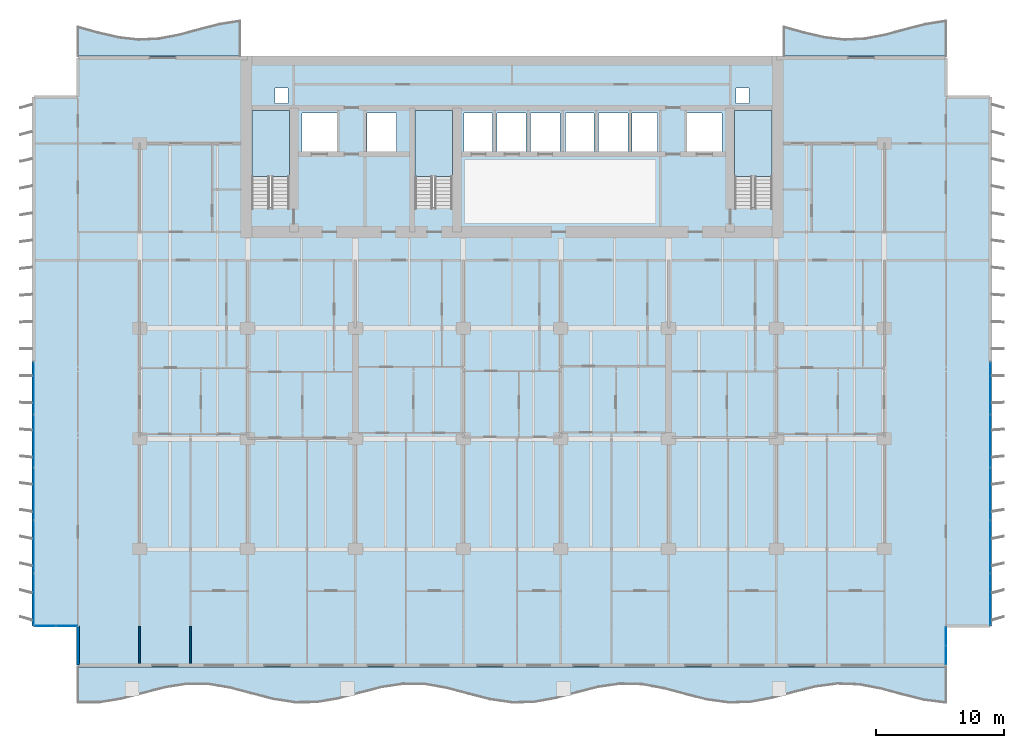
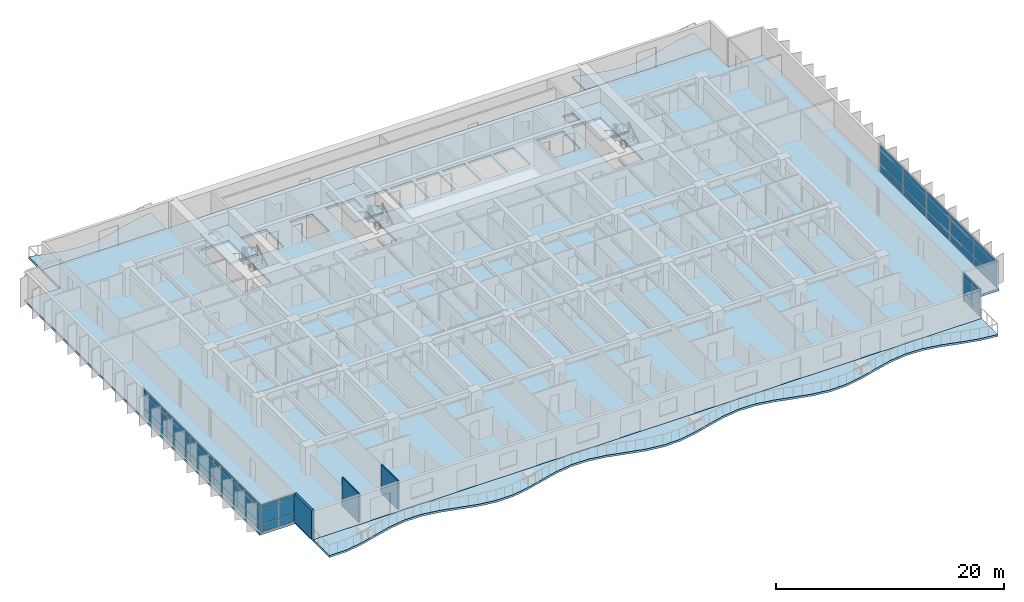
# One storey, part 5 of 18: 42 plates, 7 slabs, 3 walls, 7 elements without a shape of their own.
"""IFC4 building model written with IfcOpenShell, lengths in metres."""

from ifc_helpers import new_model, si_unit, direction, frame, frame_2d, origin, origin_2d, place, context, subcontext, project, spatial, polyline, rectangle, outline, extrude, material, layer, layer_set, type_object, element, aggregate, save


model = new_model("IFC4")

# Units and contexts
model_context = context("Model", 3, precision=1e-05, world=origin(), true_north=direction((0.0, 1.0)))
body_context = subcontext(model_context, "Body", "Model", "MODEL_VIEW")
ifc_project = project(units=[si_unit("LENGTHUNIT", "METRE"), si_unit("AREAUNIT", "SQUARE_METRE"), si_unit("VOLUMEUNIT", "CUBIC_METRE"), si_unit("PLANEANGLEUNIT", "RADIAN"), si_unit("MASSUNIT", "GRAM", prefix="KILO")], contexts=[model_context])

# Site, building, storey
site_placement = place(None, origin())
site = spatial("IfcSite", under=ifc_project, at=site_placement, CompositionType="ELEMENT")
building_placement = place(site_placement, origin())
building = spatial("IfcBuilding", under=site, at=building_placement, Name="Caelmar Bay Residences", CompositionType="ELEMENT")
storey_placement = place(building_placement, frame((0.0, 0.0, 69.60009765625)))
storey = spatial("IfcBuildingStorey", under=building, at=storey_placement, Name="L18", CompositionType="ELEMENT", Elevation=69.60009765625)

# Curtain wall, plates
ifc_material_1 = material(Name="Anodised bronze aluminium 6063-T6 and laminated glass", Category="aluminium")
ifc_layer_1 = layer(ifc_material_1, 0.179931640625)
ifc_layer_set_1 = layer_set([ifc_layer_1], Name="Anodised bronze aluminium 6063-T6 and laminated glass")
curtain_wall_type_1 = type_object("IfcCurtainWallType", Name="CW6-NTC", PredefinedType="NOTDEFINED", material=ifc_layer_set_1)
curtain_wall_1_placement = place(storey_placement, origin())
curtain_wall_1 = element("IfcCurtainWall", 1, at=curtain_wall_1_placement, inside=storey, type_object=curtain_wall_type_1, Name="CW6 curtain wall L18", PredefinedType="NOTDEFINED")
ifc_material_2 = material(Name="Bronze-tinted laminated low-E hurricane glass 28 mm", Category="glass")
ifc_layer_2 = layer(ifc_material_2, 0.028076171875)
ifc_layer_set_2 = layer_set([ifc_layer_2], Name="Bronze-tinted laminated low-E hurricane glass 28 mm")
plate_type = type_object("IfcPlateType", Name="CWP-GLZ28", PredefinedType="CURTAIN_PANEL", material=ifc_layer_set_2)
plate_1_placement = place(storey_placement, frame((2.532470703125, 6.199951171875, 0.080078125), z_axis=(0.0, 0.0, 1.0), x_axis=(1.0, 0.0, 0.0)))
plate_1 = element("IfcPlate", 2, at=plate_1_placement, type_object=plate_type, Name="CW6 panel 1.1", PredefinedType="CURTAIN_PANEL", context=body_context, shape_type="SweptSolid", body=[
    extrude(rectangle(XDim=1.60498046875, YDim=0.028076171875, at=origin_2d()), origin(), (0.0, 0.0, 1.0), 0.780029296875),
])
plate_2_placement = place(storey_placement, frame((2.532470703125, 6.199951171875, 0.93994140625), z_axis=(0.0, 0.0, 1.0), x_axis=(1.0, 0.0, 0.0)))
plate_2 = element("IfcPlate", 3, at=plate_2_placement, type_object=plate_type, Name="CW6 panel 1.2", PredefinedType="CURTAIN_PANEL", context=body_context, shape_type="SweptSolid", body=[
    extrude(rectangle(XDim=1.60498046875, YDim=0.028076171875, at=origin_2d()), origin(), (0.0, 0.0, 1.0), 1.52001953125),
])
plate_3_placement = place(storey_placement, frame((2.532470703125, 6.199951171875, 2.5400390625), z_axis=(0.0, 0.0, 1.0), x_axis=(1.0, 0.0, 0.0)))
plate_3 = element("IfcPlate", 4, at=plate_3_placement, type_object=plate_type, Name="CW6 panel 1.3", PredefinedType="CURTAIN_PANEL", context=body_context, shape_type="SweptSolid", body=[
    extrude(rectangle(XDim=1.60498046875, YDim=0.028076171875, at=origin_2d()), origin(), (0.0, 0.0, 1.0), 0.429931640625),
])
plate_4_placement = place(storey_placement, frame((4.217529296875, 6.199951171875, 0.080078125), z_axis=(0.0, 0.0, 1.0), x_axis=(1.0, 0.0, 0.0)))
plate_4 = element("IfcPlate", 5, at=plate_4_placement, type_object=plate_type, Name="CW6 panel 2.1", PredefinedType="CURTAIN_PANEL", context=body_context, shape_type="SweptSolid", body=[
    extrude(rectangle(XDim=1.60498046875, YDim=0.028076171875, at=origin_2d()), origin(), (0.0, 0.0, 1.0), 0.780029296875),
])
plate_5_placement = place(storey_placement, frame((4.217529296875, 6.199951171875, 0.93994140625), z_axis=(0.0, 0.0, 1.0), x_axis=(1.0, 0.0, 0.0)))
plate_5 = element("IfcPlate", 6, at=plate_5_placement, type_object=plate_type, Name="CW6 panel 2.2", PredefinedType="CURTAIN_PANEL", context=body_context, shape_type="SweptSolid", body=[
    extrude(rectangle(XDim=1.60498046875, YDim=0.028076171875, at=origin_2d()), origin(), (0.0, 0.0, 1.0), 1.52001953125),
])
plate_6_placement = place(storey_placement, frame((4.217529296875, 6.199951171875, 2.5400390625), z_axis=(0.0, 0.0, 1.0), x_axis=(1.0, 0.0, 0.0)))
plate_6 = element("IfcPlate", 7, at=plate_6_placement, type_object=plate_type, Name="CW6 panel 2.3", PredefinedType="CURTAIN_PANEL", context=body_context, shape_type="SweptSolid", body=[
    extrude(rectangle(XDim=1.60498046875, YDim=0.028076171875, at=origin_2d()), origin(), (0.0, 0.0, 1.0), 0.429931640625),
])
aggregate(curtain_wall_1, [plate_1, plate_2, plate_3, plate_4, plate_5, plate_6])

curtain_wall_2_placement = place(storey_placement, origin())
curtain_wall_2 = element("IfcCurtainWall", 8, at=curtain_wall_2_placement, inside=storey, type_object=curtain_wall_type_1, Name="CW6 curtain wall L18", PredefinedType="NOTDEFINED")
plate_7_placement = place(storey_placement, frame((72.699951171875, 3.9326171875, 0.080078125), z_axis=(0.0, 0.0, 1.0), x_axis=(0.0, 1.0, 0.0)))
plate_7 = element("IfcPlate", 9, at=plate_7_placement, type_object=plate_type, Name="CW6 panel 1.1", PredefinedType="CURTAIN_PANEL", context=body_context, shape_type="SweptSolid", body=[
    extrude(rectangle(XDim=1.405029296875, YDim=0.028076171875, at=origin_2d()), origin(), (0.0, 0.0, 1.0), 0.780029296875),
])
plate_8_placement = place(storey_placement, frame((72.699951171875, 3.9326171875, 0.93994140625), z_axis=(0.0, 0.0, 1.0), x_axis=(0.0, 1.0, 0.0)))
plate_8 = element("IfcPlate", 10, at=plate_8_placement, type_object=plate_type, Name="CW6 panel 1.2", PredefinedType="CURTAIN_PANEL", context=body_context, shape_type="SweptSolid", body=[
    extrude(rectangle(XDim=1.405029296875, YDim=0.028076171875, at=origin_2d()), origin(), (0.0, 0.0, 1.0), 1.52001953125),
])
plate_9_placement = place(storey_placement, frame((72.699951171875, 3.9326171875, 2.5400390625), z_axis=(0.0, 0.0, 1.0), x_axis=(0.0, 1.0, 0.0)))
plate_9 = element("IfcPlate", 11, at=plate_9_placement, type_object=plate_type, Name="CW6 panel 1.3", PredefinedType="CURTAIN_PANEL", context=body_context, shape_type="SweptSolid", body=[
    extrude(rectangle(XDim=1.405029296875, YDim=0.028076171875, at=origin_2d()), origin(), (0.0, 0.0, 1.0), 0.429931640625),
])
plate_10_placement = place(storey_placement, frame((72.699951171875, 5.41748046875, 0.080078125), z_axis=(0.0, 0.0, 1.0), x_axis=(0.0, 1.0, 0.0)))
plate_10 = element("IfcPlate", 12, at=plate_10_placement, type_object=plate_type, Name="CW6 panel 2.1", PredefinedType="CURTAIN_PANEL", context=body_context, shape_type="SweptSolid", body=[
    extrude(rectangle(XDim=1.405029296875, YDim=0.028076171875, at=origin_2d()), origin(), (0.0, 0.0, 1.0), 0.780029296875),
])
plate_11_placement = place(storey_placement, frame((72.699951171875, 5.41748046875, 0.93994140625), z_axis=(0.0, 0.0, 1.0), x_axis=(0.0, 1.0, 0.0)))
plate_11 = element("IfcPlate", 13, at=plate_11_placement, type_object=plate_type, Name="CW6 panel 2.2", PredefinedType="CURTAIN_PANEL", context=body_context, shape_type="SweptSolid", body=[
    extrude(rectangle(XDim=1.405029296875, YDim=0.028076171875, at=origin_2d()), origin(), (0.0, 0.0, 1.0), 1.52001953125),
])
plate_12_placement = place(storey_placement, frame((72.699951171875, 5.41748046875, 2.5400390625), z_axis=(0.0, 0.0, 1.0), x_axis=(0.0, 1.0, 0.0)))
plate_12 = element("IfcPlate", 14, at=plate_12_placement, type_object=plate_type, Name="CW6 panel 2.3", PredefinedType="CURTAIN_PANEL", context=body_context, shape_type="SweptSolid", body=[
    extrude(rectangle(XDim=1.405029296875, YDim=0.028076171875, at=origin_2d()), origin(), (0.0, 0.0, 1.0), 0.429931640625),
])
aggregate(curtain_wall_2, [plate_7, plate_8, plate_9, plate_10, plate_11, plate_12])

ifc_layer_3 = layer(ifc_material_1, 0.179931640625)
ifc_layer_set_3 = layer_set([ifc_layer_3], Name="Anodised bronze aluminium 6063-T6 and laminated glass")
curtain_wall_type_2 = type_object("IfcCurtainWallType", Name="CW2-Z1", PredefinedType="NOTDEFINED", material=ifc_layer_set_3)
curtain_wall_3_placement = place(storey_placement, origin())
curtain_wall_3 = element("IfcCurtainWall", 15, at=curtain_wall_3_placement, inside=storey, type_object=curtain_wall_type_2, Name="CW2 curtain wall L18", PredefinedType="NOTDEFINED")
plate_13_placement = place(storey_placement, frame((1.64990234375, 8.280029296875, 0.080078125), z_axis=(0.0, 0.0, 1.0), x_axis=(0.0, 1.0, 0.0)))
plate_13 = element("IfcPlate", 16, at=plate_13_placement, type_object=plate_type, Name="CW2 panel 1.1", PredefinedType="CURTAIN_PANEL", context=body_context, shape_type="SweptSolid", body=[
    extrude(rectangle(XDim=4.0, YDim=0.028076171875, at=origin_2d()), origin(), (0.0, 0.0, 1.0), 0.780029296875),
])
plate_14_placement = place(storey_placement, frame((1.64990234375, 8.280029296875, 0.93994140625), z_axis=(0.0, 0.0, 1.0), x_axis=(0.0, 1.0, 0.0)))
plate_14 = element("IfcPlate", 17, at=plate_14_placement, type_object=plate_type, Name="CW2 panel 1.2", PredefinedType="CURTAIN_PANEL", context=body_context, shape_type="SweptSolid", body=[
    extrude(rectangle(XDim=4.0, YDim=0.028076171875, at=origin_2d()), origin(), (0.0, 0.0, 1.0), 1.52001953125),
])
plate_15_placement = place(storey_placement, frame((1.64990234375, 8.280029296875, 2.5400390625), z_axis=(0.0, 0.0, 1.0), x_axis=(0.0, 1.0, 0.0)))
plate_15 = element("IfcPlate", 18, at=plate_15_placement, type_object=plate_type, Name="CW2 panel 1.3", PredefinedType="CURTAIN_PANEL", context=body_context, shape_type="SweptSolid", body=[
    extrude(rectangle(XDim=4.0, YDim=0.028076171875, at=origin_2d()), origin(), (0.0, 0.0, 1.0), 0.429931640625),
])
plate_16_placement = place(storey_placement, frame((1.64990234375, 12.3798828125, 0.080078125), z_axis=(0.0, 0.0, 1.0), x_axis=(0.0, 1.0, 0.0)))
plate_16 = element("IfcPlate", 19, at=plate_16_placement, type_object=plate_type, Name="CW2 panel 2.1", PredefinedType="CURTAIN_PANEL", context=body_context, shape_type="SweptSolid", body=[
    extrude(rectangle(XDim=4.0400390625, YDim=0.028076171875, at=origin_2d()), origin(), (0.0, 0.0, 1.0), 0.780029296875),
])
plate_17_placement = place(storey_placement, frame((1.64990234375, 12.3798828125, 0.93994140625), z_axis=(0.0, 0.0, 1.0), x_axis=(0.0, 1.0, 0.0)))
plate_17 = element("IfcPlate", 20, at=plate_17_placement, type_object=plate_type, Name="CW2 panel 2.2", PredefinedType="CURTAIN_PANEL", context=body_context, shape_type="SweptSolid", body=[
    extrude(rectangle(XDim=4.0400390625, YDim=0.028076171875, at=origin_2d()), origin(), (0.0, 0.0, 1.0), 1.52001953125),
])
plate_18_placement = place(storey_placement, frame((1.64990234375, 12.3798828125, 2.5400390625), z_axis=(0.0, 0.0, 1.0), x_axis=(0.0, 1.0, 0.0)))
plate_18 = element("IfcPlate", 21, at=plate_18_placement, type_object=plate_type, Name="CW2 panel 2.3", PredefinedType="CURTAIN_PANEL", context=body_context, shape_type="SweptSolid", body=[
    extrude(rectangle(XDim=4.0400390625, YDim=0.028076171875, at=origin_2d()), origin(), (0.0, 0.0, 1.0), 0.429931640625),
])
plate_19_placement = place(storey_placement, frame((1.64990234375, 16.5, 0.080078125), z_axis=(0.0, 0.0, 1.0), x_axis=(0.0, 1.0, 0.0)))
plate_19 = element("IfcPlate", 22, at=plate_19_placement, type_object=plate_type, Name="CW2 panel 3.1", PredefinedType="CURTAIN_PANEL", context=body_context, shape_type="SweptSolid", body=[
    extrude(rectangle(XDim=4.0400390625, YDim=0.028076171875, at=origin_2d()), origin(), (0.0, 0.0, 1.0), 0.780029296875),
])
plate_20_placement = place(storey_placement, frame((1.64990234375, 16.5, 0.93994140625), z_axis=(0.0, 0.0, 1.0), x_axis=(0.0, 1.0, 0.0)))
plate_20 = element("IfcPlate", 23, at=plate_20_placement, type_object=plate_type, Name="CW2 panel 3.2", PredefinedType="CURTAIN_PANEL", context=body_context, shape_type="SweptSolid", body=[
    extrude(rectangle(XDim=4.0400390625, YDim=0.028076171875, at=origin_2d()), origin(), (0.0, 0.0, 1.0), 1.52001953125),
])
plate_21_placement = place(storey_placement, frame((1.64990234375, 16.5, 2.5400390625), z_axis=(0.0, 0.0, 1.0), x_axis=(0.0, 1.0, 0.0)))
plate_21 = element("IfcPlate", 24, at=plate_21_placement, type_object=plate_type, Name="CW2 panel 3.3", PredefinedType="CURTAIN_PANEL", context=body_context, shape_type="SweptSolid", body=[
    extrude(rectangle(XDim=4.0400390625, YDim=0.028076171875, at=origin_2d()), origin(), (0.0, 0.0, 1.0), 0.429931640625),
])
plate_22_placement = place(storey_placement, frame((1.64990234375, 20.6201171875, 0.080078125), z_axis=(0.0, 0.0, 1.0), x_axis=(0.0, 1.0, 0.0)))
plate_22 = element("IfcPlate", 25, at=plate_22_placement, type_object=plate_type, Name="CW2 panel 4.1", PredefinedType="CURTAIN_PANEL", context=body_context, shape_type="SweptSolid", body=[
    extrude(rectangle(XDim=4.0400390625, YDim=0.028076171875, at=origin_2d()), origin(), (0.0, 0.0, 1.0), 0.780029296875),
])
plate_23_placement = place(storey_placement, frame((1.64990234375, 20.6201171875, 0.93994140625), z_axis=(0.0, 0.0, 1.0), x_axis=(0.0, 1.0, 0.0)))
plate_23 = element("IfcPlate", 26, at=plate_23_placement, type_object=plate_type, Name="CW2 panel 4.2", PredefinedType="CURTAIN_PANEL", context=body_context, shape_type="SweptSolid", body=[
    extrude(rectangle(XDim=4.0400390625, YDim=0.028076171875, at=origin_2d()), origin(), (0.0, 0.0, 1.0), 1.52001953125),
])
plate_24_placement = place(storey_placement, frame((1.64990234375, 20.6201171875, 2.5400390625), z_axis=(0.0, 0.0, 1.0), x_axis=(0.0, 1.0, 0.0)))
plate_24 = element("IfcPlate", 27, at=plate_24_placement, type_object=plate_type, Name="CW2 panel 4.3", PredefinedType="CURTAIN_PANEL", context=body_context, shape_type="SweptSolid", body=[
    extrude(rectangle(XDim=4.0400390625, YDim=0.028076171875, at=origin_2d()), origin(), (0.0, 0.0, 1.0), 0.429931640625),
])
plate_25_placement = place(storey_placement, frame((1.64990234375, 24.719970703125, 0.080078125), z_axis=(0.0, 0.0, 1.0), x_axis=(0.0, 1.0, 0.0)))
plate_25 = element("IfcPlate", 28, at=plate_25_placement, type_object=plate_type, Name="CW2 panel 5.1", PredefinedType="CURTAIN_PANEL", context=body_context, shape_type="SweptSolid", body=[
    extrude(rectangle(XDim=4.0, YDim=0.028076171875, at=origin_2d()), origin(), (0.0, 0.0, 1.0), 0.780029296875),
])
plate_26_placement = place(storey_placement, frame((1.64990234375, 24.719970703125, 0.93994140625), z_axis=(0.0, 0.0, 1.0), x_axis=(0.0, 1.0, 0.0)))
plate_26 = element("IfcPlate", 29, at=plate_26_placement, type_object=plate_type, Name="CW2 panel 5.2", PredefinedType="CURTAIN_PANEL", context=body_context, shape_type="SweptSolid", body=[
    extrude(rectangle(XDim=4.0, YDim=0.028076171875, at=origin_2d()), origin(), (0.0, 0.0, 1.0), 1.52001953125),
])
plate_27_placement = place(storey_placement, frame((1.64990234375, 24.719970703125, 2.5400390625), z_axis=(0.0, 0.0, 1.0), x_axis=(0.0, 1.0, 0.0)))
plate_27 = element("IfcPlate", 30, at=plate_27_placement, type_object=plate_type, Name="CW2 panel 5.3", PredefinedType="CURTAIN_PANEL", context=body_context, shape_type="SweptSolid", body=[
    extrude(rectangle(XDim=4.0, YDim=0.028076171875, at=origin_2d()), origin(), (0.0, 0.0, 1.0), 0.429931640625),
])
aggregate(curtain_wall_3, [plate_13, plate_14, plate_15, plate_16, plate_17, plate_18, plate_19, plate_20, plate_21, plate_22, plate_23, plate_24, plate_25, plate_26, plate_27])

curtain_wall_4_placement = place(storey_placement, origin())
curtain_wall_4 = element("IfcCurtainWall", 31, at=curtain_wall_4_placement, inside=storey, type_object=curtain_wall_type_2, Name="CW2 curtain wall L18", PredefinedType="NOTDEFINED")
plate_28_placement = place(storey_placement, frame((76.14990234375, 24.719970703125, 0.080078125), z_axis=(0.0, 0.0, 1.0), x_axis=(0.0, -1.0, 0.0)))
plate_28 = element("IfcPlate", 32, at=plate_28_placement, type_object=plate_type, Name="CW2 panel 1.1", PredefinedType="CURTAIN_PANEL", context=body_context, shape_type="SweptSolid", body=[
    extrude(rectangle(XDim=4.0, YDim=0.028076171875, at=origin_2d()), origin(), (0.0, 0.0, 1.0), 0.780029296875),
])
plate_29_placement = place(storey_placement, frame((76.14990234375, 24.719970703125, 0.93994140625), z_axis=(0.0, 0.0, 1.0), x_axis=(0.0, -1.0, 0.0)))
plate_29 = element("IfcPlate", 33, at=plate_29_placement, type_object=plate_type, Name="CW2 panel 1.2", PredefinedType="CURTAIN_PANEL", context=body_context, shape_type="SweptSolid", body=[
    extrude(rectangle(XDim=4.0, YDim=0.028076171875, at=origin_2d()), origin(), (0.0, 0.0, 1.0), 1.52001953125),
])
plate_30_placement = place(storey_placement, frame((76.14990234375, 24.719970703125, 2.5400390625), z_axis=(0.0, 0.0, 1.0), x_axis=(0.0, -1.0, 0.0)))
plate_30 = element("IfcPlate", 34, at=plate_30_placement, type_object=plate_type, Name="CW2 panel 1.3", PredefinedType="CURTAIN_PANEL", context=body_context, shape_type="SweptSolid", body=[
    extrude(rectangle(XDim=4.0, YDim=0.028076171875, at=origin_2d()), origin(), (0.0, 0.0, 1.0), 0.429931640625),
])
plate_31_placement = place(storey_placement, frame((76.14990234375, 20.6201171875, 0.080078125), z_axis=(0.0, 0.0, 1.0), x_axis=(0.0, -1.0, 0.0)))
plate_31 = element("IfcPlate", 35, at=plate_31_placement, type_object=plate_type, Name="CW2 panel 2.1", PredefinedType="CURTAIN_PANEL", context=body_context, shape_type="SweptSolid", body=[
    extrude(rectangle(XDim=4.0400390625, YDim=0.028076171875, at=origin_2d()), origin(), (0.0, 0.0, 1.0), 0.780029296875),
])
plate_32_placement = place(storey_placement, frame((76.14990234375, 20.6201171875, 0.93994140625), z_axis=(0.0, 0.0, 1.0), x_axis=(0.0, -1.0, 0.0)))
plate_32 = element("IfcPlate", 36, at=plate_32_placement, type_object=plate_type, Name="CW2 panel 2.2", PredefinedType="CURTAIN_PANEL", context=body_context, shape_type="SweptSolid", body=[
    extrude(rectangle(XDim=4.0400390625, YDim=0.028076171875, at=origin_2d()), origin(), (0.0, 0.0, 1.0), 1.52001953125),
])
plate_33_placement = place(storey_placement, frame((76.14990234375, 20.6201171875, 2.5400390625), z_axis=(0.0, 0.0, 1.0), x_axis=(0.0, -1.0, 0.0)))
plate_33 = element("IfcPlate", 37, at=plate_33_placement, type_object=plate_type, Name="CW2 panel 2.3", PredefinedType="CURTAIN_PANEL", context=body_context, shape_type="SweptSolid", body=[
    extrude(rectangle(XDim=4.0400390625, YDim=0.028076171875, at=origin_2d()), origin(), (0.0, 0.0, 1.0), 0.429931640625),
])
plate_34_placement = place(storey_placement, frame((76.14990234375, 16.5, 0.080078125), z_axis=(0.0, 0.0, 1.0), x_axis=(0.0, -1.0, 0.0)))
plate_34 = element("IfcPlate", 38, at=plate_34_placement, type_object=plate_type, Name="CW2 panel 3.1", PredefinedType="CURTAIN_PANEL", context=body_context, shape_type="SweptSolid", body=[
    extrude(rectangle(XDim=4.0400390625, YDim=0.028076171875, at=origin_2d()), origin(), (0.0, 0.0, 1.0), 0.780029296875),
])
plate_35_placement = place(storey_placement, frame((76.14990234375, 16.5, 0.93994140625), z_axis=(0.0, 0.0, 1.0), x_axis=(0.0, -1.0, 0.0)))
plate_35 = element("IfcPlate", 39, at=plate_35_placement, type_object=plate_type, Name="CW2 panel 3.2", PredefinedType="CURTAIN_PANEL", context=body_context, shape_type="SweptSolid", body=[
    extrude(rectangle(XDim=4.0400390625, YDim=0.028076171875, at=origin_2d()), origin(), (0.0, 0.0, 1.0), 1.52001953125),
])
plate_36_placement = place(storey_placement, frame((76.14990234375, 16.5, 2.5400390625), z_axis=(0.0, 0.0, 1.0), x_axis=(0.0, -1.0, 0.0)))
plate_36 = element("IfcPlate", 40, at=plate_36_placement, type_object=plate_type, Name="CW2 panel 3.3", PredefinedType="CURTAIN_PANEL", context=body_context, shape_type="SweptSolid", body=[
    extrude(rectangle(XDim=4.0400390625, YDim=0.028076171875, at=origin_2d()), origin(), (0.0, 0.0, 1.0), 0.429931640625),
])
plate_37_placement = place(storey_placement, frame((76.14990234375, 12.3798828125, 0.080078125), z_axis=(0.0, 0.0, 1.0), x_axis=(0.0, -1.0, 0.0)))
plate_37 = element("IfcPlate", 41, at=plate_37_placement, type_object=plate_type, Name="CW2 panel 4.1", PredefinedType="CURTAIN_PANEL", context=body_context, shape_type="SweptSolid", body=[
    extrude(rectangle(XDim=4.0400390625, YDim=0.028076171875, at=origin_2d()), origin(), (0.0, 0.0, 1.0), 0.780029296875),
])
plate_38_placement = place(storey_placement, frame((76.14990234375, 12.3798828125, 0.93994140625), z_axis=(0.0, 0.0, 1.0), x_axis=(0.0, -1.0, 0.0)))
plate_38 = element("IfcPlate", 42, at=plate_38_placement, type_object=plate_type, Name="CW2 panel 4.2", PredefinedType="CURTAIN_PANEL", context=body_context, shape_type="SweptSolid", body=[
    extrude(rectangle(XDim=4.0400390625, YDim=0.028076171875, at=origin_2d()), origin(), (0.0, 0.0, 1.0), 1.52001953125),
])
plate_39_placement = place(storey_placement, frame((76.14990234375, 12.3798828125, 2.5400390625), z_axis=(0.0, 0.0, 1.0), x_axis=(0.0, -1.0, 0.0)))
plate_39 = element("IfcPlate", 43, at=plate_39_placement, type_object=plate_type, Name="CW2 panel 4.3", PredefinedType="CURTAIN_PANEL", context=body_context, shape_type="SweptSolid", body=[
    extrude(rectangle(XDim=4.0400390625, YDim=0.028076171875, at=origin_2d()), origin(), (0.0, 0.0, 1.0), 0.429931640625),
])
plate_40_placement = place(storey_placement, frame((76.14990234375, 8.280029296875, 0.080078125), z_axis=(0.0, 0.0, 1.0), x_axis=(0.0, -1.0, 0.0)))
plate_40 = element("IfcPlate", 44, at=plate_40_placement, type_object=plate_type, Name="CW2 panel 5.1", PredefinedType="CURTAIN_PANEL", context=body_context, shape_type="SweptSolid", body=[
    extrude(rectangle(XDim=4.0, YDim=0.028076171875, at=origin_2d()), origin(), (0.0, 0.0, 1.0), 0.780029296875),
])
plate_41_placement = place(storey_placement, frame((76.14990234375, 8.280029296875, 0.93994140625), z_axis=(0.0, 0.0, 1.0), x_axis=(0.0, -1.0, 0.0)))
plate_41 = element("IfcPlate", 45, at=plate_41_placement, type_object=plate_type, Name="CW2 panel 5.2", PredefinedType="CURTAIN_PANEL", context=body_context, shape_type="SweptSolid", body=[
    extrude(rectangle(XDim=4.0, YDim=0.028076171875, at=origin_2d()), origin(), (0.0, 0.0, 1.0), 1.52001953125),
])
plate_42_placement = place(storey_placement, frame((76.14990234375, 8.280029296875, 2.5400390625), z_axis=(0.0, 0.0, 1.0), x_axis=(0.0, -1.0, 0.0)))
plate_42 = element("IfcPlate", 46, at=plate_42_placement, type_object=plate_type, Name="CW2 panel 5.3", PredefinedType="CURTAIN_PANEL", context=body_context, shape_type="SweptSolid", body=[
    extrude(rectangle(XDim=4.0, YDim=0.028076171875, at=origin_2d()), origin(), (0.0, 0.0, 1.0), 0.429931640625),
])
aggregate(curtain_wall_4, [plate_28, plate_29, plate_30, plate_31, plate_32, plate_33, plate_34, plate_35, plate_36, plate_37, plate_38, plate_39, plate_40, plate_41, plate_42])

# Slabs
ifc_material_3 = material(Name="Concrete f'c 40 MPa (6,000 psi)", Category="concrete")
ifc_layer_4 = layer(ifc_material_3, 0.219970703125)
ifc_layer_set_4 = layer_set([ifc_layer_4], Name="Concrete f'c 40 MPa (6,000 psi)")
slab_type_1 = type_object("IfcSlabType", Name="SLB-BAL-220", PredefinedType="FLOOR", material=ifc_layer_set_4)
slab_1_placement = place(storey_placement, frame((0.0, 0.0, -0.22021484375)))
element("IfcSlab", 47, at=slab_1_placement, inside=storey, type_object=slab_type_1, Name="L18 Sinusoidal Tree-Balcony Slab south", PredefinedType="FLOOR", context=body_context, shape_type="SweptSolid", body=[
    extrude(outline(polyline([(5.10009765625, 0.186767578125), (6.7900390625, 0.1875), (8.47998046875, 0.463623046875), (10.169921875, 0.908447265625), (11.860107421875, 1.349853515625), (13.550048828125, 1.617431640625), (15.239990234375, 1.60791015625), (16.929931640625, 1.32470703125), (18.6201171875, 0.877685546875), (20.31005859375, 0.43896484375), (22.0, 0.178466796875), (23.68994140625, 0.19677734375), (25.3798828125, 0.48681640625), (27.070068359375, 0.9365234375), (28.760009765625, 1.3720703125), (30.449951171875, 1.625244140625), (32.139892578125, 1.59814453125), (33.830078125, 1.301513671875), (35.52001953125, 0.849609375), (37.2099609375, 0.417236328125), (38.89990234375, 0.17138671875), (40.590087890625, 0.20703125), (42.280029296875, 0.510498046875), (43.969970703125, 0.96435546875), (45.659912109375, 1.3935546875), (47.35009765625, 1.6318359375), (49.0400390625, 1.58740234375), (50.72998046875, 1.27734375), (52.419921875, 0.821533203125), (54.110107421875, 0.39599609375), (55.800048828125, 0.165283203125), (57.489990234375, 0.21826171875), (59.179931640625, 0.534912109375), (60.8701171875, 0.9921875), (62.56005859375, 1.414306640625), (64.25, 1.637451171875), (65.93994140625, 1.57568359375), (67.6298828125, 1.2529296875), (69.320068359375, 0.793701171875), (71.010009765625, 0.375732421875), (72.699951171875, 0.16015625), (72.699951171875, 3.0), (5.10009765625, 3.0), (5.10009765625, 0.186767578125)])), origin(), (0.0, 0.0, 1.0), 0.22021484375),
])
slab_2_placement = place(storey_placement, frame((0.0, 0.0, -0.22021484375)))
element("IfcSlab", 48, at=slab_2_placement, inside=storey, type_object=slab_type_1, Name="L18 Sinusoidal Tree-Balcony Slab north_west", PredefinedType="FLOOR", context=body_context, shape_type="SweptSolid", body=[
    extrude(outline(polyline([(5.10009765625, 50.60009765625), (17.699951171875, 50.60009765625), (17.699951171875, 53.413330078125), (16.125, 53.164306640625), (14.550048828125, 52.7587890625), (12.97509765625, 52.33349609375), (11.39990234375, 52.03173828125), (9.824951171875, 51.955078125), (8.25, 52.129638671875), (6.675048828125, 52.496337890625), (5.10009765625, 52.931884765625), (5.10009765625, 50.60009765625)])), origin(), (0.0, 0.0, 1.0), 0.22021484375),
])
slab_3_placement = place(storey_placement, frame((0.0, 0.0, -0.22021484375)))
element("IfcSlab", 49, at=slab_3_placement, inside=storey, type_object=slab_type_1, Name="L18 Sinusoidal Tree-Balcony Slab north_east", PredefinedType="FLOOR", context=body_context, shape_type="SweptSolid", body=[
    extrude(outline(polyline([(60.10009765625, 50.60009765625), (72.699951171875, 50.60009765625), (72.699951171875, 53.413330078125), (71.125, 53.164306640625), (69.550048828125, 52.7587890625), (67.97509765625, 52.33349609375), (66.39990234375, 52.03173828125), (64.824951171875, 51.955078125), (63.25, 52.129638671875), (61.675048828125, 52.496337890625), (60.10009765625, 52.931884765625), (60.10009765625, 50.60009765625)])), origin(), (0.0, 0.0, 1.0), 0.22021484375),
])

# Stair, slab
stair_type = type_object("IfcStairType", Name="ST-TYP-165", PredefinedType="HALF_TURN_STAIR", material=ifc_material_3)
stair_1_placement = place(storey_placement, origin())
stair_1 = element("IfcStair", 50, at=stair_1_placement, inside=storey, type_object=stair_type, Name="L18 West Smokeproof Exit Stair ST1", PredefinedType="HALF_TURN_STAIR")
ifc_layer_5 = layer(ifc_material_3, 0.199951171875)
ifc_layer_set_5 = layer_set([ifc_layer_5], Name="Concrete f'c 40 MPa (6,000 psi)")
slab_type_2 = type_object("IfcSlabType", Name="SLB-LND-200", PredefinedType="LANDING", material=ifc_layer_set_5)
slab_4_placement = place(storey_placement, frame((0.0, 0.0, 1.449951171875)))
slab_4 = element("IfcSlab", 51, at=slab_4_placement, type_object=slab_type_2, Name="ST1 landing 1", PredefinedType="LANDING", context=body_context, shape_type="SweptSolid", body=[
    extrude(outline(polyline([(21.550048828125, 41.219970703125), (21.550048828125, 46.35009765625), (18.64990234375, 46.35009765625), (18.64990234375, 41.219970703125), (21.550048828125, 41.219970703125)])), origin(), (0.0, 0.0, 1.0), 0.199951171875),
])
aggregate(stair_1, [slab_4])

stair_2_placement = place(storey_placement, origin())
stair_2 = element("IfcStair", 52, at=stair_2_placement, inside=storey, type_object=stair_type, Name="L18 East Smokeproof Exit Stair ST2", PredefinedType="HALF_TURN_STAIR")
slab_5_placement = place(storey_placement, frame((0.0, 0.0, 1.449951171875)))
slab_5 = element("IfcSlab", 53, at=slab_5_placement, type_object=slab_type_2, Name="ST2 landing 1", PredefinedType="LANDING", context=body_context, shape_type="SweptSolid", body=[
    extrude(outline(polyline([(59.14990234375, 41.219970703125), (59.14990234375, 46.35009765625), (56.25, 46.35009765625), (56.25, 41.219970703125), (59.14990234375, 41.219970703125)])), origin(), (0.0, 0.0, 1.0), 0.199951171875),
])
aggregate(stair_2, [slab_5])

stair_3_placement = place(storey_placement, origin())
stair_3 = element("IfcStair", 54, at=stair_3_placement, inside=storey, type_object=stair_type, Name="L18 Central Smokeproof Exit Stair ST3", PredefinedType="HALF_TURN_STAIR")
slab_6_placement = place(storey_placement, frame((0.0, 0.0, 1.449951171875)))
slab_6 = element("IfcSlab", 55, at=slab_6_placement, type_object=slab_type_2, Name="ST3 landing 1", PredefinedType="LANDING", context=body_context, shape_type="SweptSolid", body=[
    extrude(outline(polyline([(34.25, 41.219970703125), (34.25, 46.35009765625), (31.35009765625, 46.35009765625), (31.35009765625, 41.219970703125), (34.25, 41.219970703125)])), origin(), (0.0, 0.0, 1.0), 0.199951171875),
])
aggregate(stair_3, [slab_6])

# Slab
ifc_layer_6 = layer(ifc_material_3, 0.25)
ifc_layer_set_6 = layer_set([ifc_layer_6], Name="Concrete f'c 40 MPa (6,000 psi)")
slab_type_3 = type_object("IfcSlabType", Name="SLB-RES-250", PredefinedType="FLOOR", material=ifc_layer_set_6)
slab_7_placement = place(storey_placement, frame((0.0, 0.0, -0.25)))
element("IfcSlab", 56, at=slab_7_placement, inside=storey, type_object=slab_type_3, Name="L18 Structural Floor Slab", PredefinedType="FLOOR", context=body_context, shape_type="SweptSolid", body=[
    extrude(outline(polyline([(5.10009765625, 3.0), (72.699951171875, 3.0), (72.699951171875, 6.199951171875), (76.300048828125, 6.199951171875), (76.300048828125, 47.39990234375), (72.699951171875, 47.39990234375), (72.699951171875, 50.60009765625), (5.10009765625, 50.60009765625), (5.10009765625, 47.39990234375), (1.5, 47.39990234375), (1.5, 6.199951171875), (5.10009765625, 6.199951171875), (5.10009765625, 3.0)]), holes=[polyline([(18.64990234375, 38.85009765625), (21.550048828125, 38.85009765625), (21.550048828125, 46.35009765625), (18.64990234375, 46.35009765625), (18.64990234375, 38.85009765625)]), polyline([(56.25, 38.85009765625), (59.14990234375, 38.85009765625), (59.14990234375, 46.35009765625), (56.25, 46.35009765625), (56.25, 38.85009765625)]), polyline([(31.35009765625, 38.85009765625), (34.25, 38.85009765625), (34.25, 46.35009765625), (31.35009765625, 46.35009765625), (31.35009765625, 38.85009765625)]), polyline([(22.550048828125, 43.050048828125), (25.25, 43.050048828125), (25.25, 46.14990234375), (22.550048828125, 46.14990234375), (22.550048828125, 43.050048828125)]), polyline([(52.550048828125, 43.050048828125), (55.25, 43.050048828125), (55.25, 46.14990234375), (52.550048828125, 46.14990234375), (52.550048828125, 43.050048828125)]), polyline([(35.14990234375, 43.14990234375), (37.39990234375, 43.14990234375), (37.39990234375, 46.14990234375), (35.14990234375, 46.14990234375), (35.14990234375, 43.14990234375)]), polyline([(37.75, 43.14990234375), (40.0, 43.14990234375), (40.0, 46.14990234375), (37.75, 46.14990234375), (37.75, 43.14990234375)]), polyline([(40.35009765625, 43.14990234375), (42.64990234375, 43.14990234375), (42.64990234375, 46.14990234375), (40.35009765625, 46.14990234375), (40.35009765625, 43.14990234375)]), polyline([(43.050048828125, 43.14990234375), (45.300048828125, 43.14990234375), (45.300048828125, 46.14990234375), (43.050048828125, 46.14990234375), (43.050048828125, 43.14990234375)]), polyline([(45.64990234375, 43.14990234375), (47.949951171875, 43.14990234375), (47.949951171875, 46.14990234375), (45.64990234375, 46.14990234375), (45.64990234375, 43.14990234375)]), polyline([(48.25, 43.14990234375), (50.25, 43.14990234375), (50.25, 46.14990234375), (48.25, 46.14990234375), (48.25, 43.14990234375)]), polyline([(27.60009765625, 43.14990234375), (29.89990234375, 43.14990234375), (29.89990234375, 46.14990234375), (27.60009765625, 46.14990234375), (27.60009765625, 43.14990234375)]), polyline([(20.449951171875, 46.89990234375), (21.449951171875, 46.89990234375), (21.449951171875, 48.10009765625), (20.449951171875, 48.10009765625), (20.449951171875, 46.89990234375)]), polyline([(56.35009765625, 46.89990234375), (57.35009765625, 46.89990234375), (57.35009765625, 48.10009765625), (56.35009765625, 48.10009765625), (56.35009765625, 46.89990234375)])]), origin(), (0.0, 0.0, 1.0), 0.25),
])

# Walls
ifc_material_4 = material(Name="Precast concrete f'c 40 MPa (6,000 psi)", Category="concrete")
ifc_layer_7 = layer(ifc_material_4, 0.25)
ifc_layer_set_7 = layer_set([ifc_layer_7], Name="Precast concrete f'c 40 MPa (6,000 psi)")
wall_type_1 = type_object("IfcWallType", Name="W-EXT-250", PredefinedType="ELEMENTEDWALL", material=ifc_layer_set_7)
wall_placement = place(storey_placement, frame((5.10009765625, 6.199951171875, 0.0), z_axis=(0.0, 0.0, 1.0), x_axis=(0.0, -1.0, 0.0)))
element("IfcWall", 57, at=wall_placement, inside=storey, type_object=wall_type_1, Name="L18 SW Notch Return Wall", PredefinedType="ELEMENTEDWALL", context=body_context, shape_type="SweptSolid", body=[
    extrude(rectangle(XDim=3.050048828125, YDim=0.25, at=frame_2d((1.52490234375, 0.0))), origin(), (0.0, 0.0, 1.0), 3.0498046875),
])
ifc_material_5 = material(Name="Acoustic metal-stud gypsum partition 120 mm")
ifc_layer_8 = layer(ifc_material_5, 0.1201171875)
ifc_layer_set_8 = layer_set([ifc_layer_8], Name="Acoustic metal-stud gypsum partition 120 mm")
wall_type_2 = type_object("IfcWallType", Name="W-PRT-120", PredefinedType="PARTITIONING", material=ifc_layer_set_8)
for number, where, z_axis, x_axis, name in (
    (58, (9.89990234375, 3.294921875, 0.0), (0.0, 0.0, 1.0), (0.0, 1.0, 0.0), "L18 Partition Wall V008"),
    (59, (13.847900390625, 3.294921875, 0.0), (0.0, 0.0, 1.0), (0.0, 1.0, 0.0), "L18 Partition Wall V015"),
):
    element("IfcWall", number, at=place(storey_placement, frame(where, z_axis=z_axis, x_axis=x_axis)), inside=storey, type_object=wall_type_2, Name=name, PredefinedType="PARTITIONING", context=body_context, shape_type="SweptSolid", body=[
        extrude(rectangle(XDim=2.905029296875, YDim=0.1201171875, at=frame_2d((1.45263671875, 0.0))), origin(), (0.0, 0.0, 1.0), 3.0498046875),
    ])

save(model, "model.ifc")
